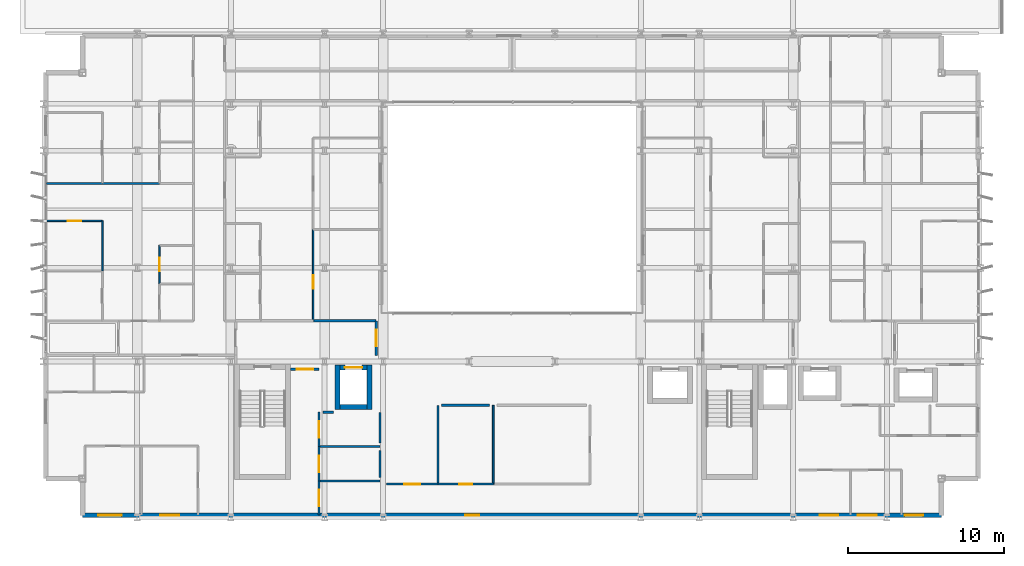
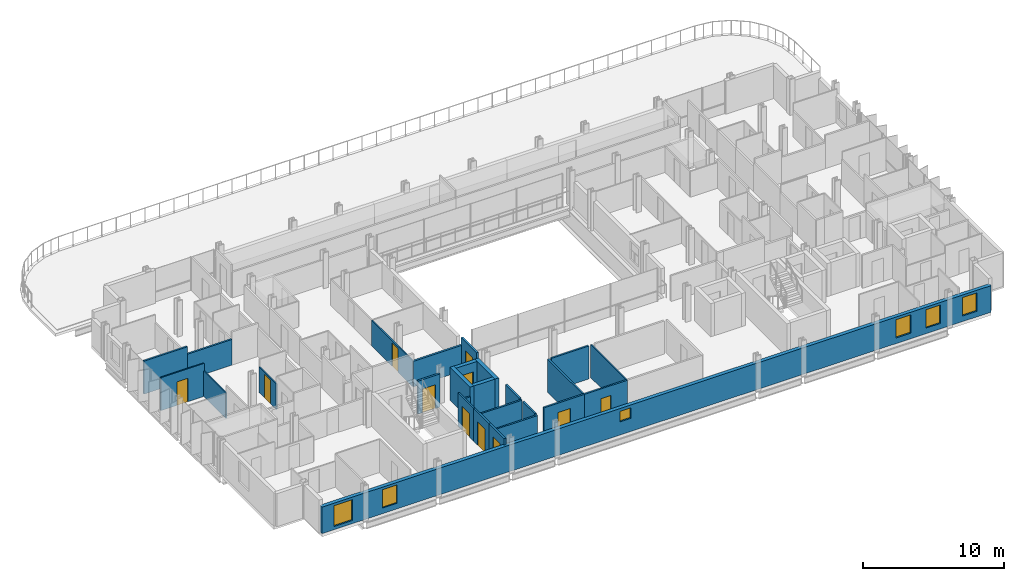
# One storey, part 28 of 38: 27 walls, 11 doors, 6 windows, 17 openings.
"""IFC4 building model written with IfcOpenShell, lengths in metres."""

from ifc_helpers import new_model, si_unit, direction, frame, frame_2d, origin, place, context, subcontext, project, spatial, rectangle, extrude, material, layer, layer_set, type_object, element, fill, save


model = new_model("IFC4")

# Units and contexts
model_context = context("Model", 3, precision=1e-05, world=origin(), true_north=direction((0.0, 1.0)))
body_context = subcontext(model_context, "Body", "Model", "MODEL_VIEW")
ifc_project = project(units=[si_unit("LENGTHUNIT", "METRE"), si_unit("AREAUNIT", "SQUARE_METRE"), si_unit("VOLUMEUNIT", "CUBIC_METRE"), si_unit("PLANEANGLEUNIT", "RADIAN"), si_unit("MASSUNIT", "GRAM", prefix="KILO")], contexts=[model_context])

# Site, building, storey
site_placement = place(None, origin())
site = spatial("IfcSite", under=ifc_project, at=site_placement, CompositionType="ELEMENT")
building_placement = place(site_placement, origin())
building = spatial("IfcBuilding", under=site, at=building_placement, Name="Brevholm Reach", CompositionType="ELEMENT")
storey_placement = place(building_placement, frame((0.0, 0.0, 28.0)))
storey = spatial("IfcBuildingStorey", under=building, at=storey_placement, Name="L06", CompositionType="ELEMENT", Elevation=28.0)

# Walls
ifc_material_1 = material(Name="Concrete C60/75", Category="concrete")
ifc_layer_1 = layer(ifc_material_1, 0.320068359375)
ifc_layer_set_1 = layer_set([ifc_layer_1], Name="Concrete C60/75")
wall_type_1 = type_object("IfcWallType", Name="WAL-COR-320", PredefinedType="SHEAR", material=ifc_layer_set_1)
for number, where, z_axis, x_axis, name in (
    (1, (18.830078125, 6.919921875, 0.0), (0.0, 0.0, 1.0), (0.0, 1.0, 0.0), "L06 Lift FFL-1 Shaft Wall W"),
    (2, (20.8701171875, 6.919921875, 0.0), (0.0, 0.0, 1.0), (0.0, 1.0, 0.0), "L06 Lift FFL-1 Shaft Wall E"),
):
    element("IfcWall", number, at=place(storey_placement, frame(where, z_axis=z_axis, x_axis=x_axis)), inside=storey, type_object=wall_type_1, Name=name, PredefinedType="SHEAR", context=body_context, shape_type="SweptSolid", body=[
        extrude(rectangle(XDim=2.860107421875, YDim=0.320068359375, at=frame_2d((1.43017578125, 0.0))), origin(), (0.0, 0.0, 1.0), 2.8701171875),
    ])
wall_1_placement = place(storey_placement, frame((18.989990234375, 7.080078125, 0.0), z_axis=(0.0, 0.0, 1.0), x_axis=(1.0, 0.0, 0.0)))
element("IfcWall", 3, at=wall_1_placement, inside=storey, type_object=wall_type_1, Name="L06 Lift FFL-1 Shaft Wall S", PredefinedType="SHEAR", context=body_context, shape_type="SweptSolid", body=[
    extrude(rectangle(XDim=1.719970703125, YDim=0.320068359375, at=frame_2d((0.85986328125, 0.0))), origin(), (0.0, 0.0, 1.0), 2.8701171875),
])

# Wall, opening, door
wall_2_placement = place(storey_placement, frame((18.989990234375, 9.6201171875, 0.0), z_axis=(0.0, 0.0, 1.0), x_axis=(1.0, 0.0, 0.0)))
wall_2 = element("IfcWall", 4, at=wall_2_placement, inside=storey, type_object=wall_type_1, Name="L06 Lift FFL-1 Shaft Wall N", PredefinedType="SHEAR", context=body_context, shape_type="SweptSolid", body=[
    extrude(rectangle(XDim=1.719970703125, YDim=0.320068359375, at=frame_2d((0.85986328125, 0.0))), origin(), (0.0, 0.0, 1.0), 2.8701171875),
])
opening_1_placement = place(wall_2_placement, frame((0.31005859375, 0.0, 0.0)))
opening_1 = element("IfcOpeningElement", 5, at=opening_1_placement, cuts=wall_2, Name="Opening LD-FFL-1", PredefinedType="OPENING", context=body_context, shape_type="SweptSolid", body=[
    extrude(rectangle(XDim=1.10009765625, YDim=2.06005859375, at=frame_2d((0.550048828125, 1.030029296875))), frame((0.0, 0.169921875, 0.0), z_axis=(0.0, -1.0, 0.0), x_axis=(1.0, 0.0, 0.0)), (0.0, 0.0, 1.0), 0.340087890625),
])
ifc_material_2 = material(Name="Brushed Stainless Steel Fire-Rated Sliding Lift Door", Category="steel")
door_type_1 = type_object("IfcDoorType", Name="DOR-LFT-1100", OperationType="NOTDEFINED", PredefinedType="DOOR", material=ifc_material_2)
door_1_placement = place(opening_1_placement, origin())
door_1 = element("IfcDoor", 6, at=door_1_placement, inside=storey, type_object=door_type_1, Name="L06 Lift FFL-1 Sliding Landing Door", OperationType="SLIDING_TO_RIGHT", OverallHeight=2.06005859375, OverallWidth=1.10009765625, PredefinedType="DOOR", context=body_context, shape_type="SweptSolid", body=[
    extrude(rectangle(XDim=1.10009765625, YDim=2.06005859375, at=frame_2d((0.550048828125, 1.030029296875))), frame((0.0, 0.02490234375, 0.0), z_axis=(0.0, -1.0, 0.0), x_axis=(1.0, 0.0, 0.0)), (0.0, 0.0, 1.0), 0.050048828125),
])
fill(opening_1, door_1)

# Wall, openings, windows
ifc_material_3 = material(Name="Concrete C40/50", Category="concrete")
ifc_layer_2 = layer(ifc_material_3, 0.300048828125)
ifc_layer_set_2 = layer_set([ifc_layer_2], Name="Concrete C40/50")
wall_type_2 = type_object("IfcWallType", Name="WAL-EXT-300", PredefinedType="STANDARD", material=ifc_layer_set_2)
wall_3_placement = place(storey_placement, frame((2.5, 0.14990234375, 0.0), z_axis=(0.0, 0.0, 1.0), x_axis=(1.0, 0.0, 0.0)))
wall_3 = element("IfcWall", 7, at=wall_3_placement, inside=storey, type_object=wall_type_2, Name="L06 Facade Wall WAL-L06-S", PredefinedType="STANDARD", context=body_context, shape_type="SweptSolid", body=[
    extrude(rectangle(XDim=55.0, YDim=0.300048828125, at=frame_2d((27.5, 0.0))), origin(), (0.0, 0.0, 1.0), 2.305419921875),
])
opening_2_placement = place(wall_3_placement, frame((1.0, 0.0, 0.284912109375)))
opening_2 = element("IfcOpeningElement", 8, at=opening_2_placement, cuts=wall_3, Name="Opening WN-05", PredefinedType="OPENING", context=body_context, shape_type="SweptSolid", body=[
    extrude(rectangle(XDim=1.5, YDim=1.800048828125, at=frame_2d((0.75, 0.89990234375))), frame((0.0, 0.159912109375, 0.0), z_axis=(0.0, -1.0, 0.0), x_axis=(1.0, 0.0, 0.0)), (0.0, 0.0, 1.0), 0.320068359375),
])
opening_3_placement = place(wall_3_placement, frame((24.5, 0.0, 1.14990234375)))
opening_3 = element("IfcOpeningElement", 9, at=opening_3_placement, cuts=wall_3, Name="Opening WN-09", PredefinedType="OPENING", context=body_context, shape_type="SweptSolid", body=[
    extrude(rectangle(XDim=0.89990234375, YDim=0.89990234375, at=frame_2d((0.449951171875, 0.449951171875))), frame((0.0, 0.159912109375, 0.0), z_axis=(0.0, -1.0, 0.0), x_axis=(1.0, 0.0, 0.0)), (0.0, 0.0, 1.0), 0.320068359375),
])
opening_4_placement = place(wall_3_placement, frame((47.199951171875, 0.0, 0.485107421875)))
opening_4 = element("IfcOpeningElement", 10, at=opening_4_placement, cuts=wall_3, Name="Opening WN-08", PredefinedType="OPENING", context=body_context, shape_type="SweptSolid", body=[
    extrude(rectangle(XDim=1.199951171875, YDim=1.60009765625, at=frame_2d((0.60009765625, 0.800048828125))), frame((0.0, 0.159912109375, 0.0), z_axis=(0.0, -1.0, 0.0), x_axis=(1.0, 0.0, 0.0)), (0.0, 0.0, 1.0), 0.320068359375),
])
opening_5_placement = place(wall_3_placement, frame((52.6298828125, 0.0, 0.485107421875)))
opening_5 = element("IfcOpeningElement", 11, at=opening_5_placement, cuts=wall_3, Name="Opening WN-08", PredefinedType="OPENING", context=body_context, shape_type="SweptSolid", body=[
    extrude(rectangle(XDim=1.199951171875, YDim=1.60009765625, at=frame_2d((0.60009765625, 0.800048828125))), frame((0.0, 0.159912109375, 0.0), z_axis=(0.0, -1.0, 0.0), x_axis=(1.0, 0.0, 0.0)), (0.0, 0.0, 1.0), 0.320068359375),
])
opening_6_placement = place(wall_3_placement, frame((4.987548828125, 0.0, 0.485595703125)))
opening_6 = element("IfcOpeningElement", 12, at=opening_6_placement, cuts=wall_3, Name="Opening WN-08", PredefinedType="OPENING", context=body_context, shape_type="SweptSolid", body=[
    extrude(rectangle(XDim=1.199951171875, YDim=1.60009765625, at=frame_2d((0.60009765625, 0.800048828125))), frame((0.0, 0.159912109375, 0.0), z_axis=(0.0, -1.0, 0.0), x_axis=(1.0, 0.0, 0.0)), (0.0, 0.0, 1.0), 0.320068359375),
])
opening_7_placement = place(wall_3_placement, frame((49.6416015625, 0.0, 0.485595703125)))
opening_7 = element("IfcOpeningElement", 13, at=opening_7_placement, cuts=wall_3, Name="Opening WN-08", PredefinedType="OPENING", context=body_context, shape_type="SweptSolid", body=[
    extrude(rectangle(XDim=1.199951171875, YDim=1.60009765625, at=frame_2d((0.60009765625, 0.800048828125))), frame((0.0, 0.159912109375, 0.0), z_axis=(0.0, -1.0, 0.0), x_axis=(1.0, 0.0, 0.0)), (0.0, 0.0, 1.0), 0.320068359375),
])
ifc_material_4 = material(Name="Dark Anodised Aluminium and Solar-Control IGU Glass", Category="aluminium")
window_type_1 = type_object("IfcWindowType", Name="WIN-POR-0900", PartitioningType="SINGLE_PANEL", PredefinedType="WINDOW", material=ifc_material_4)
window_1_placement = place(opening_3_placement, origin())
window_1 = element("IfcWindow", 14, at=window_1_placement, inside=storey, type_object=window_type_1, Name="L06 Window WIN-L06-S-POR", OverallHeight=0.89990234375, OverallWidth=0.89990234375, PartitioningType="SINGLE_PANEL", PredefinedType="WINDOW", context=body_context, shape_type="SweptSolid", body=[
    extrude(rectangle(XDim=0.89990234375, YDim=0.89990234375, at=frame_2d((0.449951171875, 0.449951171875))), frame((0.0, 0.030029296875, 0.0), z_axis=(0.0, -1.0, 0.0), x_axis=(1.0, 0.0, 0.0)), (0.0, 0.0, 1.0), 0.06005859375),
])
fill(opening_3, window_1)
ifc_material_5 = material(Name="Dark Anodised Aluminium and Solar-Control IGU Glass", Category="aluminium")
window_type_2 = type_object("IfcWindowType", Name="WIN-RES-1200", PartitioningType="SINGLE_PANEL", PredefinedType="WINDOW", material=ifc_material_5)
window_2_placement = place(opening_4_placement, origin())
window_2 = element("IfcWindow", 15, at=window_2_placement, inside=storey, type_object=window_type_2, Name="L06 Window WIN-L06-S-E1", OverallHeight=1.60009765625, OverallWidth=1.199951171875, PartitioningType="SINGLE_PANEL", PredefinedType="WINDOW", context=body_context, shape_type="SweptSolid", body=[
    extrude(rectangle(XDim=1.199951171875, YDim=1.60009765625, at=frame_2d((0.60009765625, 0.800048828125))), frame((0.0, 0.030029296875, 0.0), z_axis=(0.0, -1.0, 0.0), x_axis=(1.0, 0.0, 0.0)), (0.0, 0.0, 1.0), 0.06005859375),
])
fill(opening_4, window_2)
window_3_placement = place(opening_5_placement, origin())
window_3 = element("IfcWindow", 16, at=window_3_placement, inside=storey, type_object=window_type_2, Name="L06 Window WIN-L06-S-E2", OverallHeight=1.60009765625, OverallWidth=1.199951171875, PartitioningType="SINGLE_PANEL", PredefinedType="WINDOW", context=body_context, shape_type="SweptSolid", body=[
    extrude(rectangle(XDim=1.199951171875, YDim=1.60009765625, at=frame_2d((0.60009765625, 0.800048828125))), frame((0.0, 0.030029296875, 0.0), z_axis=(0.0, -1.0, 0.0), x_axis=(1.0, 0.0, 0.0)), (0.0, 0.0, 1.0), 0.06005859375),
])
fill(opening_5, window_3)
window_4_placement = place(opening_6_placement, origin())
window_4 = element("IfcWindow", 17, at=window_4_placement, inside=storey, type_object=window_type_2, Name="L06 Bedroom Window 001", OverallHeight=1.60009765625, OverallWidth=1.199951171875, PartitioningType="SINGLE_PANEL", PredefinedType="WINDOW", context=body_context, shape_type="SweptSolid", body=[
    extrude(rectangle(XDim=1.199951171875, YDim=1.60009765625, at=frame_2d((0.60009765625, 0.800048828125))), frame((0.0, 0.030029296875, 0.0), z_axis=(0.0, -1.0, 0.0), x_axis=(1.0, 0.0, 0.0)), (0.0, 0.0, 1.0), 0.06005859375),
])
fill(opening_6, window_4)
window_5_placement = place(opening_7_placement, origin())
window_5 = element("IfcWindow", 18, at=window_5_placement, inside=storey, type_object=window_type_2, Name="L06 Bedroom Window 002", OverallHeight=1.60009765625, OverallWidth=1.199951171875, PartitioningType="SINGLE_PANEL", PredefinedType="WINDOW", context=body_context, shape_type="SweptSolid", body=[
    extrude(rectangle(XDim=1.199951171875, YDim=1.60009765625, at=frame_2d((0.60009765625, 0.800048828125))), frame((0.0, 0.030029296875, 0.0), z_axis=(0.0, -1.0, 0.0), x_axis=(1.0, 0.0, 0.0)), (0.0, 0.0, 1.0), 0.06005859375),
])
fill(opening_7, window_5)
ifc_material_6 = material(Name="Dark Anodised Aluminium and Solar-Control IGU Glass", Category="aluminium")
window_type_3 = type_object("IfcWindowType", Name="WIN-RES-1500", PartitioningType="SINGLE_PANEL", PredefinedType="WINDOW", material=ifc_material_6)
window_6_placement = place(opening_2_placement, origin())
window_6 = element("IfcWindow", 19, at=window_6_placement, inside=storey, type_object=window_type_3, Name="L06 Window WIN-L06-S-W1", OverallHeight=1.800048828125, OverallWidth=1.5, PartitioningType="SINGLE_PANEL", PredefinedType="WINDOW", context=body_context, shape_type="SweptSolid", body=[
    extrude(rectangle(XDim=1.5, YDim=1.800048828125, at=frame_2d((0.75, 0.89990234375))), frame((0.0, 0.030029296875, 0.0), z_axis=(0.0, -1.0, 0.0), x_axis=(1.0, 0.0, 0.0)), (0.0, 0.0, 1.0), 0.06005859375),
])
fill(opening_2, window_6)

# Wall
ifc_material_7 = material(Name="Moisture-Resistant Acoustic Gypsum Stud Partition 100 mm", Category="gypsum")
ifc_layer_3 = layer(ifc_material_7, 0.10009765625)
ifc_layer_set_3 = layer_set([ifc_layer_3], Name="Moisture-Resistant Acoustic Gypsum Stud Partition 100 mm")
wall_type_3 = type_object("IfcWallType", Name="WAL-PRT-100", PredefinedType="PARTITIONING", material=ifc_layer_set_3)
wall_4_placement = place(storey_placement, frame((28.800048828125, 2.154052734375, 0.0), z_axis=(0.0, 0.0, 1.0), x_axis=(0.0, 1.0, 0.0)))
element("IfcWall", 20, at=wall_4_placement, inside=storey, type_object=wall_type_3, Name="L06 Internal Partition 006", PredefinedType="PARTITIONING", context=body_context, shape_type="SweptSolid", body=[
    extrude(rectangle(XDim=5.0458984375, YDim=0.10009765625, at=frame_2d((2.52294921875, 0.0))), origin(), (0.0, 0.0, 1.0), 2.8701171875),
])

# Wall, opening, door
wall_5_placement = place(storey_placement, frame((7.43798828125, 14.97998046875, 0.0), z_axis=(0.0, 0.0, 1.0), x_axis=(0.0, 1.0, 0.0)))
wall_5 = element("IfcWall", 21, at=wall_5_placement, inside=storey, type_object=wall_type_3, Name="L06 Internal Partition 094", PredefinedType="PARTITIONING", context=body_context, shape_type="SweptSolid", body=[
    extrude(rectangle(XDim=2.4599609375, YDim=0.10009765625, at=frame_2d((1.22998046875, 0.0))), origin(), (0.0, 0.0, 1.0), 2.224853515625),
])
opening_8_placement = place(wall_5_placement, frame((0.7900390625, 0.0, 0.0)))
opening_8 = element("IfcOpeningElement", 22, at=opening_8_placement, cuts=wall_5, Name="Opening ID-01", PredefinedType="OPENING", context=body_context, shape_type="SweptSolid", body=[
    extrude(rectangle(XDim=0.8798828125, YDim=2.0400390625, at=frame_2d((0.43994140625, 1.02001953125))), frame((0.0, 0.06005859375, 0.0), z_axis=(0.0, -1.0, 0.0), x_axis=(1.0, 0.0, 0.0)), (0.0, 0.0, 1.0), 0.1201171875),
])
ifc_material_8 = material(Name="Lacquered Ash Solid-Core Acoustic Internal Door", Category="timber")
door_type_2 = type_object("IfcDoorType", Name="DOR-INT-880", OperationType="NOTDEFINED", PredefinedType="DOOR", material=ifc_material_8)
door_2_placement = place(opening_8_placement, origin())
door_2 = element("IfcDoor", 23, at=door_2_placement, inside=storey, type_object=door_type_2, Name="L06 Internal Door 033", OperationType="SINGLE_SWING_RIGHT", OverallHeight=2.0400390625, OverallWidth=0.8798828125, PredefinedType="DOOR", context=body_context, shape_type="SweptSolid", body=[
    extrude(rectangle(XDim=0.8798828125, YDim=2.0400390625, at=frame_2d((0.43994140625, 1.02001953125))), frame((0.0, 0.02490234375, 0.0), z_axis=(0.0, -1.0, 0.0), x_axis=(1.0, 0.0, 0.0)), (0.0, 0.0, 1.0), 0.050048828125),
])
fill(opening_8, door_2)

# Wall
wall_6_placement = place(storey_placement, frame((3.77197265625, 15.803955078125, 0.0), z_axis=(0.0, 0.0, 1.0), x_axis=(0.0, 1.0, 0.0)))
element("IfcWall", 24, at=wall_6_placement, inside=storey, type_object=wall_type_3, Name="L06 Internal Partition 097", PredefinedType="PARTITIONING", context=body_context, shape_type="SweptSolid", body=[
    extrude(rectangle(XDim=3.196044921875, YDim=0.10009765625, at=frame_2d((1.59814453125, 0.0))), origin(), (0.0, 0.0, 1.0), 2.224853515625),
])

# Wall, opening, door
wall_7_placement = place(storey_placement, frame((0.199951171875, 19.0, 0.0), z_axis=(0.0, 0.0, 1.0), x_axis=(1.0, 0.0, 0.0)))
wall_7 = element("IfcWall", 25, at=wall_7_placement, inside=storey, type_object=wall_type_3, Name="L06 Internal Partition 098", PredefinedType="PARTITIONING", context=body_context, shape_type="SweptSolid", body=[
    extrude(rectangle(XDim=3.572021484375, YDim=0.10009765625, at=frame_2d((1.7861328125, 0.0))), origin(), (0.0, 0.0, 1.0), 2.8701171875),
])
opening_9_placement = place(wall_7_placement, frame((1.345947265625, 0.0, 0.0)))
opening_9 = element("IfcOpeningElement", 26, at=opening_9_placement, cuts=wall_7, Name="Opening ID-01", PredefinedType="OPENING", context=body_context, shape_type="SweptSolid", body=[
    extrude(rectangle(XDim=0.8798828125, YDim=2.0400390625, at=frame_2d((0.43994140625, 1.02001953125))), frame((0.0, 0.06005859375, 0.0), z_axis=(0.0, -1.0, 0.0), x_axis=(1.0, 0.0, 0.0)), (0.0, 0.0, 1.0), 0.1201171875),
])
door_3_placement = place(opening_9_placement, origin())
door_3 = element("IfcDoor", 27, at=door_3_placement, inside=storey, type_object=door_type_2, Name="L06 Internal Door 035", OperationType="SINGLE_SWING_RIGHT", OverallHeight=2.0400390625, OverallWidth=0.8798828125, PredefinedType="DOOR", context=body_context, shape_type="SweptSolid", body=[
    extrude(rectangle(XDim=0.8798828125, YDim=2.0400390625, at=frame_2d((0.43994140625, 1.02001953125))), frame((0.0, 0.02490234375, 0.0), z_axis=(0.0, -1.0, 0.0), x_axis=(1.0, 0.0, 0.0)), (0.0, 0.0, 1.0), 0.050048828125),
])
fill(opening_9, door_3)

wall_8_placement = place(storey_placement, frame((17.27099609375, 12.60400390625, 0.0), z_axis=(0.0, 0.0, 1.0), x_axis=(0.0, 1.0, 0.0)))
wall_8 = element("IfcWall", 28, at=wall_8_placement, inside=storey, type_object=wall_type_3, Name="L06 Internal Partition 115", PredefinedType="PARTITIONING", context=body_context, shape_type="SweptSolid", body=[
    extrude(rectangle(XDim=5.845947265625, YDim=0.10009765625, at=frame_2d((2.9228515625, 0.0))), origin(), (0.0, 0.0, 1.0), 2.224853515625),
])
opening_10_placement = place(wall_8_placement, frame((2.04296875, 0.0, 0.0)))
opening_10 = element("IfcOpeningElement", 29, at=opening_10_placement, cuts=wall_8, Name="Opening ID-01", PredefinedType="OPENING", context=body_context, shape_type="SweptSolid", body=[
    extrude(rectangle(XDim=0.8798828125, YDim=2.0400390625, at=frame_2d((0.43994140625, 1.02001953125))), frame((0.0, 0.06005859375, 0.0), z_axis=(0.0, -1.0, 0.0), x_axis=(1.0, 0.0, 0.0)), (0.0, 0.0, 1.0), 0.1201171875),
])
door_4_placement = place(opening_10_placement, origin())
door_4 = element("IfcDoor", 30, at=door_4_placement, inside=storey, type_object=door_type_2, Name="L06 Internal Door 042", OperationType="SINGLE_SWING_LEFT", OverallHeight=2.0400390625, OverallWidth=0.8798828125, PredefinedType="DOOR", context=body_context, shape_type="SweptSolid", body=[
    extrude(rectangle(XDim=0.8798828125, YDim=2.0400390625, at=frame_2d((0.43994140625, 1.02001953125))), frame((0.0, 0.02490234375, 0.0), z_axis=(0.0, -1.0, 0.0), x_axis=(1.0, 0.0, 0.0)), (0.0, 0.0, 1.0), 0.050048828125),
])
fill(opening_10, door_4)

ifc_material_9 = material(Name="Twin-Stud Acoustic Fire-Rated Gypsum Partition 140 mm", Category="gypsum")
ifc_layer_4 = layer(ifc_material_9, 0.139892578125)
ifc_layer_set_4 = layer_set([ifc_layer_4], Name="Twin-Stud Acoustic Fire-Rated Gypsum Partition 140 mm")
wall_type_4 = type_object("IfcWallType", Name="WAL-PRT-140", PredefinedType="PARTITIONING", material=ifc_layer_set_4)
wall_9_placement = place(storey_placement, frame((21.949951171875, 2.14990234375, 0.0), z_axis=(0.0, 0.0, 1.0), x_axis=(1.0, 0.0, 0.0)))
wall_9 = element("IfcWall", 31, at=wall_9_placement, inside=storey, type_object=wall_type_4, Name="L06 Internal Partition 002", PredefinedType="PARTITIONING", context=body_context, shape_type="SweptSolid", body=[
    extrude(rectangle(XDim=3.3212890625, YDim=0.139892578125, at=frame_2d((1.66064453125, 0.0))), origin(), (0.0, 0.0, 1.0), 2.8701171875),
])
opening_11_placement = place(wall_9_placement, frame((1.1357421875, 0.0, 0.0)))
opening_11 = element("IfcOpeningElement", 32, at=opening_11_placement, cuts=wall_9, Name="Opening FD-01", PredefinedType="OPENING", context=body_context, shape_type="SweptSolid", body=[
    extrude(rectangle(XDim=1.050048828125, YDim=2.06005859375, at=frame_2d((0.52490234375, 1.030029296875))), frame((0.0, 0.079833984375, 0.0), z_axis=(0.0, -1.0, 0.0), x_axis=(1.0, 0.0, 0.0)), (0.0, 0.0, 1.0), 0.159912109375),
])
ifc_material_10 = material(Name="Hardwood-Lipped Steel-Core Fire and Smoke Door", Category="steel")
door_type_3 = type_object("IfcDoorType", Name="DOR-INT-FD60S", OperationType="NOTDEFINED", PredefinedType="DOOR", material=ifc_material_10)
door_5_placement = place(opening_11_placement, origin())
door_5 = element("IfcDoor", 33, at=door_5_placement, inside=storey, type_object=door_type_3, Name="L06 Internal Door 002", OperationType="SINGLE_SWING_LEFT", OverallHeight=2.06005859375, OverallWidth=1.050048828125, PredefinedType="DOOR", context=body_context, shape_type="SweptSolid", body=[
    extrude(rectangle(XDim=1.050048828125, YDim=2.06005859375, at=frame_2d((0.52490234375, 1.030029296875))), frame((0.0, 0.02490234375, 0.0), z_axis=(0.0, -1.0, 0.0), x_axis=(1.0, 0.0, 0.0)), (0.0, 0.0, 1.0), 0.050048828125),
])
fill(opening_11, door_5)

wall_10_placement = place(storey_placement, frame((25.252685546875, 2.14990234375, 0.0), z_axis=(0.0, 0.0, 1.0), x_axis=(1.0, 0.0, 0.0)))
wall_10 = element("IfcWall", 34, at=wall_10_placement, inside=storey, type_object=wall_type_4, Name="L06 Internal Partition 003", PredefinedType="PARTITIONING", context=body_context, shape_type="SweptSolid", body=[
    extrude(rectangle(XDim=3.55859375, YDim=0.139892578125, at=frame_2d((1.779296875, 0.0))), origin(), (0.0, 0.0, 1.0), 2.8701171875),
])
opening_12_placement = place(wall_10_placement, frame((1.369384765625, 0.0, 0.0)))
opening_12 = element("IfcOpeningElement", 35, at=opening_12_placement, cuts=wall_10, Name="Opening ID-02", PredefinedType="OPENING", context=body_context, shape_type="SweptSolid", body=[
    extrude(rectangle(XDim=0.820068359375, YDim=2.02001953125, at=frame_2d((0.41015625, 1.010009765625))), frame((0.0, 0.079833984375, 0.0), z_axis=(0.0, -1.0, 0.0), x_axis=(1.0, 0.0, 0.0)), (0.0, 0.0, 1.0), 0.159912109375),
])
ifc_material_11 = material(Name="Moisture-Resistant Painted Timber Fire-Rated Riser and Service Door", Category="wood")
door_type_4 = type_object("IfcDoorType", Name="DOR-SRV-820", OperationType="NOTDEFINED", PredefinedType="DOOR", material=ifc_material_11)
door_6_placement = place(opening_12_placement, origin())
door_6 = element("IfcDoor", 36, at=door_6_placement, inside=storey, type_object=door_type_4, Name="L06 Internal Door 003", OperationType="SINGLE_SWING_RIGHT", OverallHeight=2.02001953125, OverallWidth=0.820068359375, PredefinedType="DOOR", context=body_context, shape_type="SweptSolid", body=[
    extrude(rectangle(XDim=0.820068359375, YDim=2.02001953125, at=frame_2d((0.41015625, 1.010009765625))), frame((0.0, 0.02490234375, 0.0), z_axis=(0.0, -1.0, 0.0), x_axis=(1.0, 0.0, 0.0)), (0.0, 0.0, 1.0), 0.050048828125),
])
fill(opening_12, door_6)

# Wall
wall_11_placement = place(storey_placement, frame((25.260009765625, 2.154052734375, 0.0), z_axis=(0.0, 0.0, 1.0), x_axis=(0.0, 1.0, 0.0)))
element("IfcWall", 37, at=wall_11_placement, inside=storey, type_object=wall_type_4, Name="L06 Internal Partition 005", PredefinedType="PARTITIONING", context=body_context, shape_type="SweptSolid", body=[
    extrude(rectangle(XDim=5.0458984375, YDim=0.139892578125, at=frame_2d((2.52294921875, 0.0))), origin(), (0.0, 0.0, 1.0), 2.8701171875),
])

# Wall, opening, door
wall_12_placement = place(storey_placement, frame((17.64990234375, 0.179931640625, 0.0), z_axis=(0.0, 0.0, 1.0), x_axis=(0.0, 1.0, 0.0)))
wall_12 = element("IfcWall", 38, at=wall_12_placement, inside=storey, type_object=wall_type_4, Name="L06 Internal Partition 007", PredefinedType="PARTITIONING", context=body_context, shape_type="SweptSolid", body=[
    extrude(rectangle(XDim=2.181396484375, YDim=0.139892578125, at=frame_2d((1.0908203125, 0.0))), origin(), (0.0, 0.0, 1.0), 2.8701171875),
])
opening_13_placement = place(wall_12_placement, frame((0.565673828125, 0.0, 0.0)))
opening_13 = element("IfcOpeningElement", 39, at=opening_13_placement, cuts=wall_12, Name="Opening FD-01", PredefinedType="OPENING", context=body_context, shape_type="SweptSolid", body=[
    extrude(rectangle(XDim=1.050048828125, YDim=2.06005859375, at=frame_2d((0.52490234375, 1.030029296875))), frame((0.0, 0.079833984375, 0.0), z_axis=(0.0, -1.0, 0.0), x_axis=(1.0, 0.0, 0.0)), (0.0, 0.0, 1.0), 0.159912109375),
])
door_7_placement = place(opening_13_placement, origin())
door_7 = element("IfcDoor", 40, at=door_7_placement, inside=storey, type_object=door_type_3, Name="L06 Internal Door 004", OperationType="SINGLE_SWING_LEFT", OverallHeight=2.06005859375, OverallWidth=1.050048828125, PredefinedType="DOOR", context=body_context, shape_type="SweptSolid", body=[
    extrude(rectangle(XDim=1.050048828125, YDim=2.06005859375, at=frame_2d((0.52490234375, 1.030029296875))), frame((0.0, 0.02490234375, 0.0), z_axis=(0.0, -1.0, 0.0), x_axis=(1.0, 0.0, 0.0)), (0.0, 0.0, 1.0), 0.050048828125),
])
fill(opening_13, door_7)

wall_13_placement = place(storey_placement, frame((17.64990234375, 2.3427734375, 0.0), z_axis=(0.0, 0.0, 1.0), x_axis=(0.0, 1.0, 0.0)))
wall_13 = element("IfcWall", 41, at=wall_13_placement, inside=storey, type_object=wall_type_4, Name="L06 Internal Partition 008", PredefinedType="PARTITIONING", context=body_context, shape_type="SweptSolid", body=[
    extrude(rectangle(XDim=2.218505859375, YDim=0.139892578125, at=frame_2d((1.109375, 0.0))), origin(), (0.0, 0.0, 1.0), 2.8701171875),
])
opening_14_placement = place(wall_13_placement, frame((0.584228515625, 0.0, 0.0)))
opening_14 = element("IfcOpeningElement", 42, at=opening_14_placement, cuts=wall_13, Name="Opening FD-01", PredefinedType="OPENING", context=body_context, shape_type="SweptSolid", body=[
    extrude(rectangle(XDim=1.050048828125, YDim=2.06005859375, at=frame_2d((0.52490234375, 1.030029296875))), frame((0.0, 0.079833984375, 0.0), z_axis=(0.0, -1.0, 0.0), x_axis=(1.0, 0.0, 0.0)), (0.0, 0.0, 1.0), 0.159912109375),
])
door_8_placement = place(opening_14_placement, origin())
door_8 = element("IfcDoor", 43, at=door_8_placement, inside=storey, type_object=door_type_3, Name="L06 Internal Door 005", OperationType="SINGLE_SWING_RIGHT", OverallHeight=2.06005859375, OverallWidth=1.050048828125, PredefinedType="DOOR", context=body_context, shape_type="SweptSolid", body=[
    extrude(rectangle(XDim=1.050048828125, YDim=2.06005859375, at=frame_2d((0.52490234375, 1.030029296875))), frame((0.0, 0.02490234375, 0.0), z_axis=(0.0, -1.0, 0.0), x_axis=(1.0, 0.0, 0.0)), (0.0, 0.0, 1.0), 0.050048828125),
])
fill(opening_14, door_8)

wall_14_placement = place(storey_placement, frame((17.64990234375, 4.542724609375, 0.0), z_axis=(0.0, 0.0, 1.0), x_axis=(0.0, 1.0, 0.0)))
wall_14 = element("IfcWall", 44, at=wall_14_placement, inside=storey, type_object=wall_type_4, Name="L06 Internal Partition 009", PredefinedType="PARTITIONING", context=body_context, shape_type="SweptSolid", body=[
    extrude(rectangle(XDim=2.218505859375, YDim=0.139892578125, at=frame_2d((1.109375, 0.0))), origin(), (0.0, 0.0, 1.0), 2.8701171875),
])
opening_15_placement = place(wall_14_placement, frame((0.584228515625, 0.0, 0.0)))
opening_15 = element("IfcOpeningElement", 45, at=opening_15_placement, cuts=wall_14, Name="Opening FD-01", PredefinedType="OPENING", context=body_context, shape_type="SweptSolid", body=[
    extrude(rectangle(XDim=1.050048828125, YDim=2.06005859375, at=frame_2d((0.52490234375, 1.030029296875))), frame((0.0, 0.079833984375, 0.0), z_axis=(0.0, -1.0, 0.0), x_axis=(1.0, 0.0, 0.0)), (0.0, 0.0, 1.0), 0.159912109375),
])
door_9_placement = place(opening_15_placement, origin())
door_9 = element("IfcDoor", 46, at=door_9_placement, inside=storey, type_object=door_type_3, Name="L06 Internal Door 006", OperationType="SINGLE_SWING_LEFT", OverallHeight=2.06005859375, OverallWidth=1.050048828125, PredefinedType="DOOR", context=body_context, shape_type="SweptSolid", body=[
    extrude(rectangle(XDim=1.050048828125, YDim=2.06005859375, at=frame_2d((0.52490234375, 1.030029296875))), frame((0.0, 0.02490234375, 0.0), z_axis=(0.0, -1.0, 0.0), x_axis=(1.0, 0.0, 0.0)), (0.0, 0.0, 1.0), 0.050048828125),
])
fill(opening_15, door_9)

# Walls
for number, where, z_axis, x_axis, name in (
    (47, (17.654052734375, 2.35009765625, 0.0), (0.0, 0.0, 1.0), (1.0, 0.0, 0.0), "L06 Internal Partition 011"),
    (48, (17.654052734375, 4.550048828125, 0.0), (0.0, 0.0, 1.0), (1.0, 0.0, 0.0), "L06 Internal Partition 012"),
):
    element("IfcWall", number, at=place(storey_placement, frame(where, z_axis=z_axis, x_axis=x_axis)), inside=storey, type_object=wall_type_4, Name=name, PredefinedType="PARTITIONING", context=body_context, shape_type="SweptSolid", body=[
        extrude(rectangle(XDim=3.89599609375, YDim=0.139892578125, at=frame_2d((1.947998046875, 0.0))), origin(), (0.0, 0.0, 1.0), 2.224853515625),
    ])
wall_15_placement = place(storey_placement, frame((0.199951171875, 21.39990234375, 0.0), z_axis=(0.0, 0.0, 1.0), x_axis=(1.0, 0.0, 0.0)))
element("IfcWall", 49, at=wall_15_placement, inside=storey, type_object=wall_type_4, Name="L06 Internal Partition 100", PredefinedType="PARTITIONING", context=body_context, shape_type="SweptSolid", body=[
    extrude(rectangle(XDim=3.583251953125, YDim=0.139892578125, at=frame_2d((1.79150390625, 0.0))), origin(), (0.0, 0.0, 1.0), 2.8701171875),
])
wall_16_placement = place(storey_placement, frame((3.7646484375, 21.39990234375, 0.0), z_axis=(0.0, 0.0, 1.0), x_axis=(1.0, 0.0, 0.0)))
element("IfcWall", 50, at=wall_16_placement, inside=storey, type_object=wall_type_4, Name="L06 Internal Partition 101", PredefinedType="PARTITIONING", context=body_context, shape_type="SweptSolid", body=[
    extrude(rectangle(XDim=3.6806640625, YDim=0.139892578125, at=frame_2d((1.84033203125, 0.0))), origin(), (0.0, 0.0, 1.0), 2.224853515625),
])
wall_17_placement = place(storey_placement, frame((25.5, 7.199951171875, 0.0), z_axis=(0.0, 0.0, 1.0), x_axis=(1.0, 0.0, 0.0)))
element("IfcWall", 51, at=wall_17_placement, inside=storey, type_object=wall_type_4, Name="L06 Internal Partition 146", PredefinedType="PARTITIONING", context=body_context, shape_type="SweptSolid", body=[
    extrude(rectangle(XDim=3.06005859375, YDim=0.139892578125, at=frame_2d((1.530029296875, 0.0))), origin(), (0.0, 0.0, 1.0), 2.8701171875),
])
wall_18_placement = place(storey_placement, frame((21.550048828125, 2.590087890625, 0.0), z_axis=(0.0, 0.0, 1.0), x_axis=(0.0, 1.0, 0.0)))
element("IfcWall", 52, at=wall_18_placement, inside=storey, type_object=wall_type_4, Name="L06 Internal Partition 148", PredefinedType="PARTITIONING", context=body_context, shape_type="SweptSolid", body=[
    extrude(rectangle(XDim=1.719970703125, YDim=0.139892578125, at=frame_2d((0.85986328125, 0.0))), origin(), (0.0, 0.0, 1.0), 2.224853515625),
])
wall_19_placement = place(storey_placement, frame((21.550048828125, 4.7900390625, 0.0), z_axis=(0.0, 0.0, 1.0), x_axis=(0.0, 1.0, 0.0)))
element("IfcWall", 53, at=wall_19_placement, inside=storey, type_object=wall_type_4, Name="L06 Internal Partition 149", PredefinedType="PARTITIONING", context=body_context, shape_type="SweptSolid", body=[
    extrude(rectangle(XDim=1.9599609375, YDim=0.139892578125, at=frame_2d((0.97998046875, 0.0))), origin(), (0.0, 0.0, 1.0), 2.224853515625),
])
wall_20_placement = place(storey_placement, frame((17.889892578125, 6.75, 0.0), z_axis=(0.0, 0.0, 1.0), x_axis=(1.0, 0.0, 0.0)))
element("IfcWall", 54, at=wall_20_placement, inside=storey, type_object=wall_type_4, Name="L06 Internal Partition 150", PredefinedType="PARTITIONING", context=body_context, shape_type="SweptSolid", body=[
    extrude(rectangle(XDim=0.6884765625, YDim=0.139892578125, at=frame_2d((0.34423828125, 0.0))), origin(), (0.0, 0.0, 1.0), 2.224853515625),
])

# Wall, opening, door
ifc_material_12 = material(Name="Twin-Frame Fire-Rated Gypsum Board and Mineral Wool 160 mm", Category="gypsum")
ifc_layer_5 = layer(ifc_material_12, 0.159912109375)
ifc_layer_set_5 = layer_set([ifc_layer_5], Name="Twin-Frame Fire-Rated Gypsum Board and Mineral Wool 160 mm")
wall_type_5 = type_object("IfcWallType", Name="WAL-PRT-160", PredefinedType="PARTITIONING", material=ifc_layer_set_5)
wall_21_placement = place(storey_placement, frame((15.830078125, 9.5, 0.0), z_axis=(0.0, 0.0, 1.0), x_axis=(1.0, 0.0, 0.0)))
wall_21 = element("IfcWall", 55, at=wall_21_placement, inside=storey, type_object=wall_type_5, Name="L06 Internal Partition 010", PredefinedType="PARTITIONING", context=body_context, shape_type="SweptSolid", body=[
    extrude(rectangle(XDim=1.81982421875, YDim=0.159912109375, at=frame_2d((0.909912109375, 0.0))), origin(), (0.0, 0.0, 1.0), 2.8701171875),
])
opening_16_placement = place(wall_21_placement, frame((0.385009765625, 0.0, 0.0)))
opening_16 = element("IfcOpeningElement", 56, at=opening_16_placement, cuts=wall_21, Name="Opening FD-01", PredefinedType="OPENING", context=body_context, shape_type="SweptSolid", body=[
    extrude(rectangle(XDim=1.050048828125, YDim=2.06005859375, at=frame_2d((0.52490234375, 1.030029296875))), frame((0.0, 0.08984375, 0.0), z_axis=(0.0, -1.0, 0.0), x_axis=(1.0, 0.0, 0.0)), (0.0, 0.0, 1.0), 0.179931640625),
])
door_10_placement = place(opening_16_placement, origin())
door_10 = element("IfcDoor", 57, at=door_10_placement, inside=storey, type_object=door_type_3, Name="L06 Internal Door 007", OperationType="SINGLE_SWING_RIGHT", OverallHeight=2.06005859375, OverallWidth=1.050048828125, PredefinedType="DOOR", context=body_context, shape_type="SweptSolid", body=[
    extrude(rectangle(XDim=1.050048828125, YDim=2.06005859375, at=frame_2d((0.52490234375, 1.030029296875))), frame((0.0, 0.02490234375, 0.0), z_axis=(0.0, -1.0, 0.0), x_axis=(1.0, 0.0, 0.0)), (0.0, 0.0, 1.0), 0.050048828125),
])
fill(opening_16, door_10)

wall_22_placement = place(storey_placement, frame((21.300048828125, 10.388671875, 0.0), z_axis=(0.0, 0.0, 1.0), x_axis=(0.0, 1.0, 0.0)))
wall_22 = element("IfcWall", 58, at=wall_22_placement, inside=storey, type_object=wall_type_5, Name="L06 Internal Partition 019", PredefinedType="PARTITIONING", context=body_context, shape_type="SweptSolid", body=[
    extrude(rectangle(XDim=2.21142578125, YDim=0.159912109375, at=frame_2d((1.105712890625, 0.0))), origin(), (0.0, 0.0, 1.0), 2.8701171875),
])
opening_17_placement = place(wall_22_placement, frame((0.58056640625, 0.0, 0.0)))
opening_17 = element("IfcOpeningElement", 59, at=opening_17_placement, cuts=wall_22, Name="Opening FD-01", PredefinedType="OPENING", context=body_context, shape_type="SweptSolid", body=[
    extrude(rectangle(XDim=1.050048828125, YDim=2.06005859375, at=frame_2d((0.52490234375, 1.030029296875))), frame((0.0, 0.08984375, 0.0), z_axis=(0.0, -1.0, 0.0), x_axis=(1.0, 0.0, 0.0)), (0.0, 0.0, 1.0), 0.179931640625),
])
door_11_placement = place(opening_17_placement, origin())
door_11 = element("IfcDoor", 60, at=door_11_placement, inside=storey, type_object=door_type_3, Name="L06 Internal Door 012", OperationType="SINGLE_SWING_LEFT", OverallHeight=2.06005859375, OverallWidth=1.050048828125, PredefinedType="DOOR", context=body_context, shape_type="SweptSolid", body=[
    extrude(rectangle(XDim=1.050048828125, YDim=2.06005859375, at=frame_2d((0.52490234375, 1.030029296875))), frame((0.0, 0.02490234375, 0.0), z_axis=(0.0, -1.0, 0.0), x_axis=(1.0, 0.0, 0.0)), (0.0, 0.0, 1.0), 0.050048828125),
])
fill(opening_17, door_11)

# Wall
wall_23_placement = place(storey_placement, frame((17.259765625, 12.60009765625, 0.0), z_axis=(0.0, 0.0, 1.0), x_axis=(1.0, 0.0, 0.0)))
element("IfcWall", 61, at=wall_23_placement, inside=storey, type_object=wall_type_5, Name="L06 Internal Partition 022", PredefinedType="PARTITIONING", context=body_context, shape_type="SweptSolid", body=[
    extrude(rectangle(XDim=4.040283203125, YDim=0.159912109375, at=frame_2d((2.02001953125, 0.0))), origin(), (0.0, 0.0, 1.0), 2.224853515625),
])

save(model, "model.ifc")
